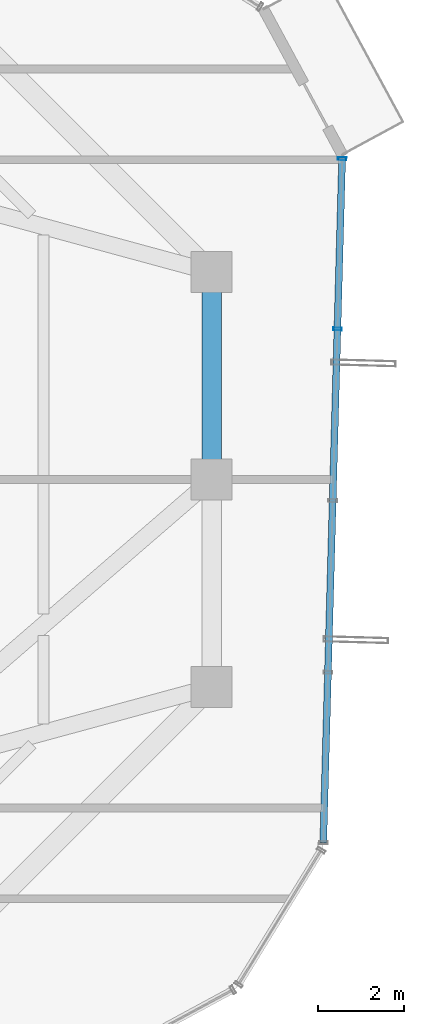
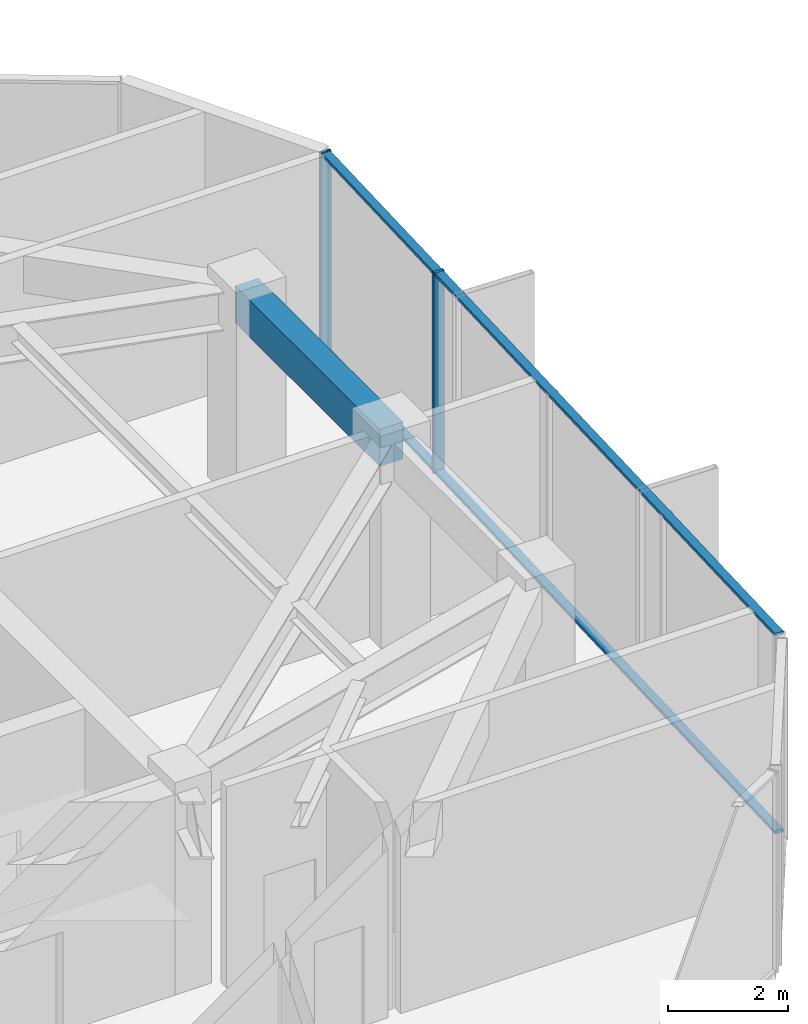
# One storey, part 12 of 22: 4 members, 1 beam, 1 element without a shape of its own.
"""IFC4 building model written with IfcOpenShell, lengths in metres."""

from ifc_helpers import new_model, si_unit, direction, frame, origin, origin_2d, place, context, subcontext, project, spatial, rectangle, hollow_rectangle, extrude, source, transform, mapped, material, layer, layer_set, material_profile, profile_set, type_object, element, aggregate, save


model = new_model("IFC4")

# Units and contexts
model_context = context("Model", 3, precision=1e-05, world=origin(), true_north=direction((0.0, 1.0)))
body_context = subcontext(model_context, "Body", "Model", "MODEL_VIEW")
ifc_project = project(units=[si_unit("LENGTHUNIT", "METRE"), si_unit("AREAUNIT", "SQUARE_METRE"), si_unit("VOLUMEUNIT", "CUBIC_METRE"), si_unit("PLANEANGLEUNIT", "RADIAN"), si_unit("MASSUNIT", "GRAM", prefix="KILO")], contexts=[model_context])

# Site, building, storey
site_placement = place(None, origin())
site = spatial("IfcSite", under=ifc_project, at=site_placement, CompositionType="ELEMENT")
building_placement = place(site_placement, origin())
building = spatial("IfcBuilding", under=site, at=building_placement, Name="Veraguas Prism Commons", CompositionType="ELEMENT")
storey_placement = place(building_placement, frame((0.0, 0.0, 211.35009765625)))
storey = spatial("IfcBuildingStorey", under=building, at=storey_placement, Name="L60", CompositionType="ELEMENT", Elevation=211.35009765625)

# Beam
ifc_material_1 = material(Name="Concrete C50/60", Category="concrete")
ifc_material_profile_1 = material_profile(ifc_material_1, rectangle(XDim=0.449951171875, YDim=0.75, at=origin_2d()), Name="RC450X750")
ifc_profile_set_1 = profile_set([ifc_material_profile_1], Name="Concrete C50/60")
beam_type = type_object("IfcBeamType", Name="Perimeter Spandrel Upper RC 450x750", PredefinedType="SPANDREL", material=ifc_profile_set_1)
beam_placement = place(storey_placement, frame((38.89990234375, 24.0, 3.68994140625), z_axis=(0.0, 1.0, 0.0), x_axis=(-1.0, 0.0, 0.0)))
element("IfcBeam", 1, at=beam_placement, inside=storey, type_object=beam_type, Name="Perimeter Spandrel Beam L60-SP02", PredefinedType="SPANDREL", context=body_context, shape_type="SweptSolid", body=[
    extrude(rectangle(XDim=0.449951171875, YDim=0.75, at=origin_2d()), origin(), (0.0, 0.0, 1.0), 4.800048828125),
])

# Curtain wall, members
ifc_material_2 = material(Name="Anodised aluminium EN AW-6063 T6", Category="aluminium")
ifc_layer = layer(ifc_material_2, 0.199951171875, Name="Sky Lobby and Pool Acoustic Curtain Wall", Category="aluminium")
ifc_layer_set = layer_set([ifc_layer], Name="Anodised aluminium EN AW-6063 T6")
curtain_wall_type = type_object("IfcCurtainWallType", Name="Sky Lobby and Pool Acoustic Curtain Wall", PredefinedType="NOTDEFINED", material=ifc_layer_set)
curtain_wall_placement = place(storey_placement, origin())
curtain_wall = element("IfcCurtainWall", 2, at=curtain_wall_placement, inside=storey, type_object=curtain_wall_type, Name="Tower Facade Curtain Wall L60-F6", PredefinedType="NOTDEFINED")
ifc_material_profile_2 = material_profile(ifc_material_2, hollow_rectangle(XDim=0.06494140625, YDim=0.199951171875, WallThickness=0.00390625, at=origin_2d()), Name="AL65X200X4")
ifc_profile_set_2 = profile_set([ifc_material_profile_2], Name="Anodised aluminium EN AW-6063 T6")
member_type_1 = type_object("IfcMemberType", Name="Curtain Wall Mullion Heavy AL 65x200x4", PredefinedType="MULLION", material=ifc_profile_set_2)
shared_shape_1 = source(origin(), body_context, "Body", "SweptSolid", [
    extrude(hollow_rectangle(XDim=0.06494140625, YDim=0.199951171875, WallThickness=0.00390625, at=origin_2d()), origin(), (0.0, 0.0, 1.0), 4.06494140625),
])
member_1_placement = place(storey_placement, frame((41.81298828125, 27.48583984375, 0.0), z_axis=(0.0, 0.0, 1.0), x_axis=(0.027567473277, 0.999619944988, 0.0)))
member_1 = element("IfcMember", 3, at=member_1_placement, type_object=member_type_1, Name="CW-SKY Mullion 4", PredefinedType="MULLION", context=body_context, shape_type="MappedRepresentation", body=[
    mapped(shared_shape_1, transform((0.0, 0.0, 0.0), scale=1.0)),
])
member_2_placement = place(storey_placement, frame((41.921875, 31.427490234375, 0.0), z_axis=(0.0, 0.0, 1.0), x_axis=(0.027567473277, 0.999619944988, 0.0)))
member_2 = element("IfcMember", 4, at=member_2_placement, type_object=member_type_1, Name="CW-SKY Mullion 5", PredefinedType="MULLION", context=body_context, shape_type="MappedRepresentation", body=[
    mapped(shared_shape_1, transform((0.0, 0.0, 0.0), scale=1.0)),
])
ifc_material_profile_3 = material_profile(ifc_material_2, hollow_rectangle(XDim=0.06005859375, YDim=0.159912109375, WallThickness=0.0029296875, at=origin_2d()), Name="AL60X160X3")
ifc_profile_set_3 = profile_set([ifc_material_profile_3], Name="Anodised aluminium EN AW-6063 T6")
member_type_2 = type_object("IfcMemberType", Name="Curtain Wall Transom Heavy AL 60x160x3", PredefinedType="USERDEFINED", material=ifc_profile_set_3)
shared_shape_2 = source(origin(), body_context, "Body", "SweptSolid", [
    extrude(hollow_rectangle(XDim=0.06005859375, YDim=0.159912109375, WallThickness=0.0029296875, at=origin_2d()), origin(), (0.0, 0.0, 1.0), 15.837646484375),
])
member_3_placement = place(storey_placement, frame((41.485107421875, 15.595947265625, 0.02978515625), z_axis=(0.027577947209, 0.999619656083, 0.0), x_axis=(0.0, 0.0, 1.0)))
member_3 = element("IfcMember", 5, at=member_3_placement, type_object=member_type_2, Name="CW-SKY Transom 1", ObjectType="TRANSOM", PredefinedType="USERDEFINED", context=body_context, shape_type="MappedRepresentation", body=[
    mapped(shared_shape_2, transform((0.0, 0.0, 0.0), scale=1.0)),
])
member_4_placement = place(storey_placement, frame((41.485107421875, 15.595947265625, 4.034912109375), z_axis=(0.027577947209, 0.999619656083, 0.0), x_axis=(0.0, 0.0, 1.0)))
member_4 = element("IfcMember", 6, at=member_4_placement, type_object=member_type_2, Name="CW-SKY Transom 2", ObjectType="TRANSOM", PredefinedType="USERDEFINED", context=body_context, shape_type="MappedRepresentation", body=[
    mapped(shared_shape_2, transform((0.0, 0.0, 0.0), scale=1.0)),
])
aggregate(curtain_wall, [member_1, member_2, member_3, member_4])

save(model, "model.ifc")
